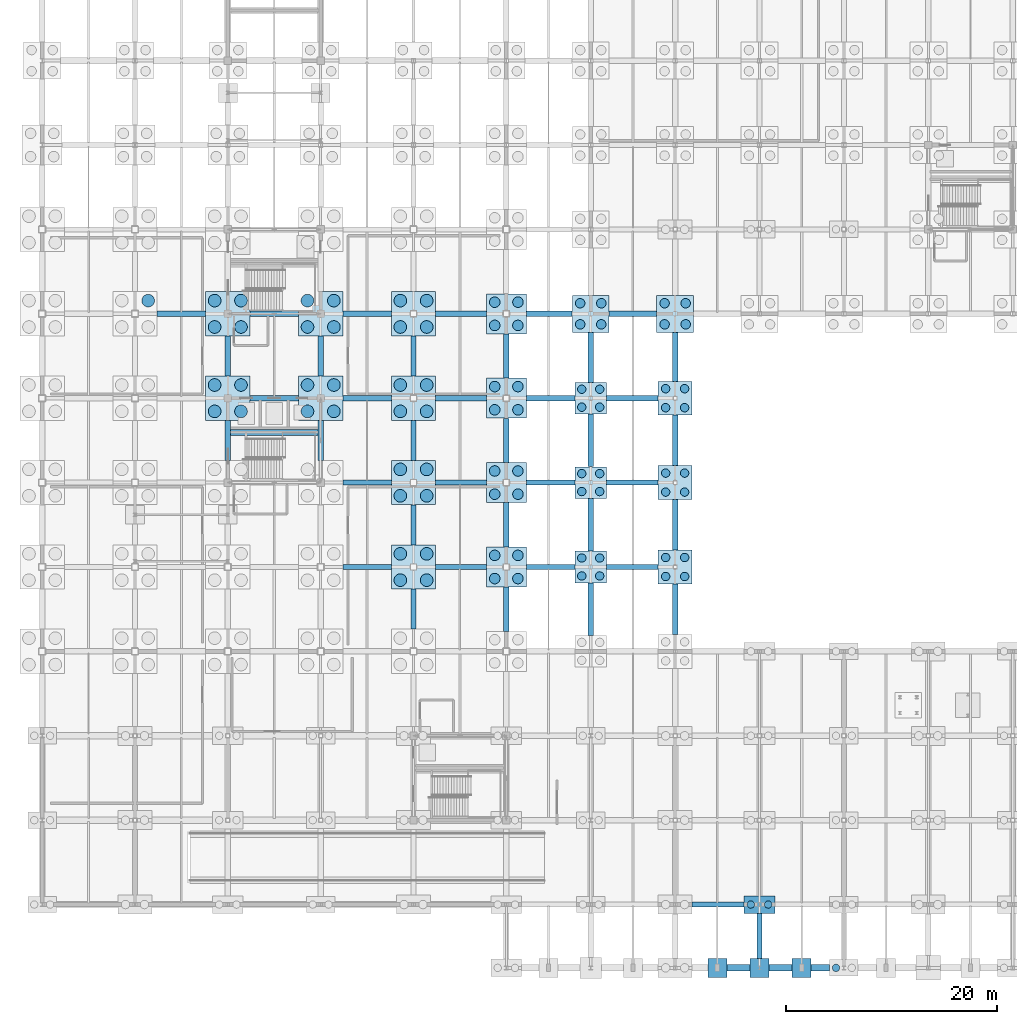
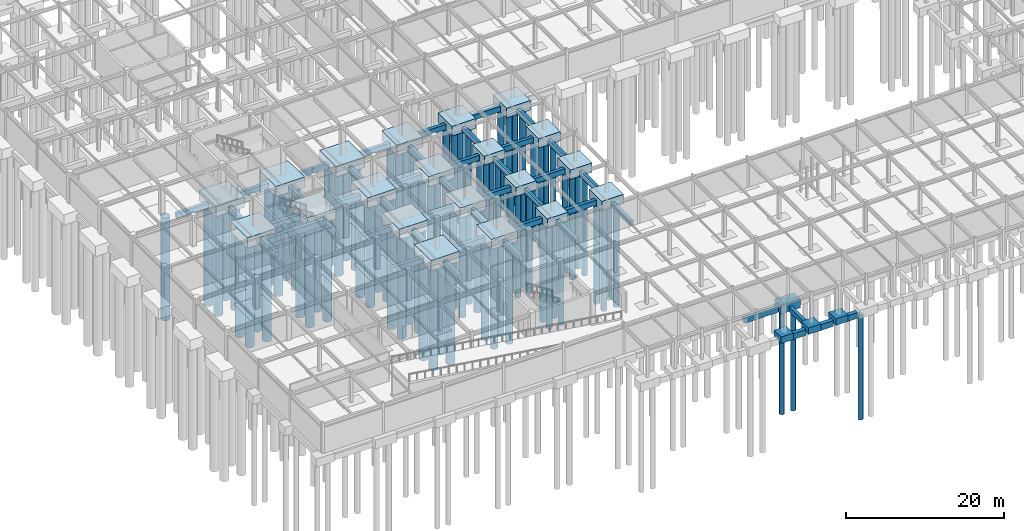
# One storey, part 3 of 72: 84 piles, 69 footings.
"""IFC4 building model written with IfcOpenShell, lengths in metres."""

from ifc_helpers import new_model, si_unit, direction, frame, origin, origin_2d, place, context, subcontext, project, spatial, rectangle, circle, extrude, material, material_profile, profile_set, type_object, element, save


model = new_model("IFC4")

# Units and contexts
model_context = context("Model", 3, precision=1e-05, world=origin(), true_north=direction((0.0, 1.0)))
body_context = subcontext(model_context, "Body", "Model", "MODEL_VIEW")
ifc_project = project(units=[si_unit("LENGTHUNIT", "METRE"), si_unit("AREAUNIT", "SQUARE_METRE"), si_unit("VOLUMEUNIT", "CUBIC_METRE"), si_unit("PLANEANGLEUNIT", "RADIAN"), si_unit("MASSUNIT", "GRAM", prefix="KILO")], contexts=[model_context])

# Site, building, storey
site_placement = place(None, origin())
site = spatial("IfcSite", under=ifc_project, at=site_placement, CompositionType="ELEMENT")
building_placement = place(site_placement, origin())
building = spatial("IfcBuilding", under=site, at=building_placement, Name="Zhaolan Boulevard Law Courts", CompositionType="ELEMENT")
storey_placement = place(building_placement, frame((0.0, 0.0, -4.800048828125)))
storey = spatial("IfcBuildingStorey", under=building, at=storey_placement, Name="B1", CompositionType="ELEMENT", Elevation=-4.800048828125)

# Piles
ifc_material_1 = material(Name="Concrete C40", Category="concrete")
ifc_material_profile_1 = material_profile(ifc_material_1, circle(Radius=0.5, at=origin_2d()), Name="PILE-D1000")
ifc_profile_set_1 = profile_set([ifc_material_profile_1], Name="Concrete C40")
pile_type_1 = type_object("IfcPileType", Name="BORED PILE D1000", PredefinedType="BORED", material=ifc_profile_set_1)
for number, where, z_axis, x_axis, name in (
    (1, (42.89990234375, 36.89990234375, -1.449951171875), (0.0, 0.0, -1.0), (1.0, 0.0, 0.0), "Bored Pile P-6F-1"),
    (2, (45.10009765625, 36.89990234375, -1.449951171875), (0.0, 0.0, -1.0), (1.0, 0.0, 0.0), "Bored Pile P-6F-2"),
    (3, (42.89990234375, 39.10009765625, -1.449951171875), (0.0, 0.0, -1.0), (1.0, 0.0, 0.0), "Bored Pile P-6F-3"),
    (4, (45.10009765625, 39.10009765625, -1.449951171875), (0.0, 0.0, -1.0), (1.0, 0.0, 0.0), "Bored Pile P-6F-4"),
    (5, (42.89990234375, 44.89990234375, -1.449951171875), (0.0, 0.0, -1.0), (1.0, 0.0, 0.0), "Bored Pile P-6G-1"),
    (6, (45.10009765625, 44.89990234375, -1.449951171875), (0.0, 0.0, -1.0), (1.0, 0.0, 0.0), "Bored Pile P-6G-2"),
    (7, (42.89990234375, 47.10009765625, -1.449951171875), (0.0, 0.0, -1.0), (1.0, 0.0, 0.0), "Bored Pile P-6G-3"),
    (8, (45.10009765625, 47.10009765625, -1.449951171875), (0.0, 0.0, -1.0), (1.0, 0.0, 0.0), "Bored Pile P-6G-4"),
    (9, (42.89990234375, 52.89990234375, -1.449951171875), (0.0, 0.0, -1.0), (1.0, 0.0, 0.0), "Bored Pile P-6H-1"),
    (10, (45.10009765625, 52.89990234375, -1.449951171875), (0.0, 0.0, -1.0), (1.0, 0.0, 0.0), "Bored Pile P-6H-2"),
    (11, (42.89990234375, 55.10009765625, -1.449951171875), (0.0, 0.0, -1.0), (1.0, 0.0, 0.0), "Bored Pile P-6H-3"),
    (12, (45.10009765625, 55.10009765625, -1.449951171875), (0.0, 0.0, -1.0), (1.0, 0.0, 0.0), "Bored Pile P-6H-4"),
    (13, (42.89990234375, 60.89990234375, -1.449951171875), (0.0, 0.0, -1.0), (1.0, 0.0, 0.0), "Bored Pile P-6J-1"),
    (14, (45.10009765625, 60.89990234375, -1.449951171875), (0.0, 0.0, -1.0), (1.0, 0.0, 0.0), "Bored Pile P-6J-2"),
    (15, (42.89990234375, 63.10009765625, -1.449951171875), (0.0, 0.0, -1.0), (1.0, 0.0, 0.0), "Bored Pile P-6J-3"),
    (16, (45.10009765625, 63.10009765625, -1.449951171875), (0.0, 0.0, -1.0), (1.0, 0.0, 0.0), "Bored Pile P-6J-4"),
):
    element("IfcPile", number, at=place(storey_placement, frame(where, z_axis=z_axis, x_axis=x_axis)), inside=storey, type_object=pile_type_1, Name=name, PredefinedType="BORED", context=body_context, shape_type="SweptSolid", body=[
        extrude(circle(Radius=0.5, at=origin_2d()), origin(), (0.0, 0.0, 1.0), 15.949951171875),
    ])
ifc_material_2 = material(Name="Concrete C40", Category="concrete")
ifc_material_profile_2 = material_profile(ifc_material_2, circle(Radius=0.60009765625, at=origin_2d()), Name="PILE-D1200")
ifc_profile_set_2 = profile_set([ifc_material_profile_2], Name="Concrete C40")
pile_type_2 = type_object("IfcPileType", Name="BORED PILE D1200", PredefinedType="BORED", material=ifc_profile_set_2)
for number, where, z_axis, x_axis, name in (
    (17, (10.050048828125, 63.25, -1.5), (0.0, 0.0, -1.0), (1.0, 0.0, 0.0), "Bored Pile P-2J-4"),
    (18, (16.35009765625, 52.75, -1.5), (0.0, 0.0, -1.0), (1.0, 0.0, 0.0), "Bored Pile P-3H-1"),
    (19, (18.85009765625, 52.75, -1.5), (0.0, 0.0, -1.0), (1.0, 0.0, 0.0), "Bored Pile P-3H-2"),
    (20, (16.35009765625, 55.25, -1.5), (0.0, 0.0, -1.0), (1.0, 0.0, 0.0), "Bored Pile P-3H-3"),
    (21, (18.85009765625, 55.25, -1.5), (0.0, 0.0, -1.0), (1.0, 0.0, 0.0), "Bored Pile P-3H-4"),
    (22, (16.35009765625, 60.75, -1.5), (0.0, 0.0, -1.0), (1.0, 0.0, 0.0), "Bored Pile P-3J-1"),
    (23, (18.85009765625, 60.75, -1.5), (0.0, 0.0, -1.0), (1.0, 0.0, 0.0), "Bored Pile P-3J-2"),
    (24, (16.35009765625, 63.25, -1.5), (0.0, 0.0, -1.0), (1.0, 0.0, 0.0), "Bored Pile P-3J-3"),
    (25, (18.85009765625, 63.25, -1.5), (0.0, 0.0, -1.0), (1.0, 0.0, 0.0), "Bored Pile P-3J-4"),
    (26, (25.14990234375, 52.75, -1.5), (0.0, 0.0, -1.0), (1.0, 0.0, 0.0), "Bored Pile P-4H-1"),
    (27, (27.64990234375, 52.75, -1.5), (0.0, 0.0, -1.0), (1.0, 0.0, 0.0), "Bored Pile P-4H-2"),
    (28, (25.14990234375, 55.25, -1.5), (0.0, 0.0, -1.0), (1.0, 0.0, 0.0), "Bored Pile P-4H-3"),
    (29, (27.64990234375, 55.25, -1.5), (0.0, 0.0, -1.0), (1.0, 0.0, 0.0), "Bored Pile P-4H-4"),
    (30, (25.14990234375, 60.75, -1.5), (0.0, 0.0, -1.0), (1.0, 0.0, 0.0), "Bored Pile P-4J-1"),
    (31, (27.64990234375, 60.75, -1.5), (0.0, 0.0, -1.0), (1.0, 0.0, 0.0), "Bored Pile P-4J-2"),
    (32, (25.14990234375, 63.25, -1.5), (0.0, 0.0, -1.0), (1.0, 0.0, 0.0), "Bored Pile P-4J-3"),
    (33, (27.64990234375, 63.25, -1.5), (0.0, 0.0, -1.0), (1.0, 0.0, 0.0), "Bored Pile P-4J-4"),
    (34, (33.949951171875, 36.75, -1.5), (0.0, 0.0, -1.0), (1.0, 0.0, 0.0), "Bored Pile P-5F-1"),
    (35, (36.449951171875, 36.75, -1.5), (0.0, 0.0, -1.0), (1.0, 0.0, 0.0), "Bored Pile P-5F-2"),
    (36, (33.949951171875, 39.25, -1.5), (0.0, 0.0, -1.0), (1.0, 0.0, 0.0), "Bored Pile P-5F-3"),
    (37, (36.449951171875, 39.25, -1.5), (0.0, 0.0, -1.0), (1.0, 0.0, 0.0), "Bored Pile P-5F-4"),
    (38, (33.949951171875, 44.75, -1.5), (0.0, 0.0, -1.0), (1.0, 0.0, 0.0), "Bored Pile P-5G-1"),
    (39, (36.449951171875, 44.75, -1.5), (0.0, 0.0, -1.0), (1.0, 0.0, 0.0), "Bored Pile P-5G-2"),
    (40, (33.949951171875, 47.25, -1.5), (0.0, 0.0, -1.0), (1.0, 0.0, 0.0), "Bored Pile P-5G-3"),
    (41, (36.449951171875, 47.25, -1.5), (0.0, 0.0, -1.0), (1.0, 0.0, 0.0), "Bored Pile P-5G-4"),
    (42, (33.949951171875, 52.75, -1.5), (0.0, 0.0, -1.0), (1.0, 0.0, 0.0), "Bored Pile P-5H-1"),
    (43, (36.449951171875, 52.75, -1.5), (0.0, 0.0, -1.0), (1.0, 0.0, 0.0), "Bored Pile P-5H-2"),
    (44, (33.949951171875, 55.25, -1.5), (0.0, 0.0, -1.0), (1.0, 0.0, 0.0), "Bored Pile P-5H-3"),
    (45, (36.449951171875, 55.25, -1.5), (0.0, 0.0, -1.0), (1.0, 0.0, 0.0), "Bored Pile P-5H-4"),
    (46, (33.949951171875, 60.75, -1.5), (0.0, 0.0, -1.0), (1.0, 0.0, 0.0), "Bored Pile P-5J-1"),
    (47, (36.449951171875, 60.75, -1.5), (0.0, 0.0, -1.0), (1.0, 0.0, 0.0), "Bored Pile P-5J-2"),
    (48, (33.949951171875, 63.25, -1.5), (0.0, 0.0, -1.0), (1.0, 0.0, 0.0), "Bored Pile P-5J-3"),
    (49, (36.449951171875, 63.25, -1.5), (0.0, 0.0, -1.0), (1.0, 0.0, 0.0), "Bored Pile P-5J-4"),
):
    element("IfcPile", number, at=place(storey_placement, frame(where, z_axis=z_axis, x_axis=x_axis)), inside=storey, type_object=pile_type_2, Name=name, PredefinedType="BORED", context=body_context, shape_type="SweptSolid", body=[
        extrude(circle(Radius=0.60009765625, at=origin_2d()), origin(), (0.0, 0.0, 1.0), 15.89990234375),
    ])
ifc_material_3 = material(Name="Concrete C40", Category="concrete")
ifc_material_profile_3 = material_profile(ifc_material_3, circle(Radius=0.35009765625, at=origin_2d()), Name="PILE-D700")
ifc_profile_set_3 = profile_set([ifc_material_profile_3], Name="Concrete C40")
pile_type_3 = type_object("IfcPileType", Name="BORED PILE D700", PredefinedType="BORED", material=ifc_profile_set_3)
for number, where, z_axis, x_axis, name in (
    (50, (67.179931640625, 6.0, -1.25), (0.0, 0.0, -1.0), (1.0, 0.0, 0.0), "Bored Pile P-9B-1"),
    (51, (68.820068359375, 6.0, -1.25), (0.0, 0.0, -1.0), (1.0, 0.0, 0.0), "Bored Pile P-9B-2"),
):
    element("IfcPile", number, at=place(storey_placement, frame(where, z_axis=z_axis, x_axis=x_axis)), inside=storey, type_object=pile_type_3, Name=name, PredefinedType="BORED", context=body_context, shape_type="SweptSolid", body=[
        extrude(circle(Radius=0.35009765625, at=origin_2d()), origin(), (0.0, 0.0, 1.0), 16.14990234375),
    ])
pile_placement = place(storey_placement, frame((75.25, 0.0, -1.199951171875), z_axis=(0.0, 0.0, -1.0), x_axis=(1.0, 0.0, 0.0)))
element("IfcPile", 52, at=pile_placement, inside=storey, type_object=pile_type_3, Name="Bored Pile P-10A-1", PredefinedType="BORED", context=body_context, shape_type="SweptSolid", body=[
    extrude(circle(Radius=0.35009765625, at=origin_2d()), origin(), (0.0, 0.0, 1.0), 16.199951171875),
])
ifc_material_4 = material(Name="Concrete C40", Category="concrete")
ifc_material_profile_4 = material_profile(ifc_material_4, circle(Radius=0.39990234375, at=origin_2d()), Name="PILE-D800")
ifc_profile_set_4 = profile_set([ifc_material_profile_4], Name="Concrete C40")
pile_type_4 = type_object("IfcPileType", Name="BORED PILE D800", PredefinedType="BORED", material=ifc_profile_set_4)
for number, where, z_axis, x_axis, name in (
    (53, (51.14990234375, 37.14990234375, -1.300048828125), (0.0, 0.0, -1.0), (1.0, 0.0, 0.0), "Bored Pile P-7F-1"),
    (54, (52.85009765625, 37.14990234375, -1.300048828125), (0.0, 0.0, -1.0), (1.0, 0.0, 0.0), "Bored Pile P-7F-2"),
    (55, (51.14990234375, 38.85009765625, -1.300048828125), (0.0, 0.0, -1.0), (1.0, 0.0, 0.0), "Bored Pile P-7F-3"),
    (56, (52.85009765625, 38.85009765625, -1.300048828125), (0.0, 0.0, -1.0), (1.0, 0.0, 0.0), "Bored Pile P-7F-4"),
    (57, (51.14990234375, 45.14990234375, -1.300048828125), (0.0, 0.0, -1.0), (1.0, 0.0, 0.0), "Bored Pile P-7G-1"),
    (58, (52.85009765625, 45.14990234375, -1.300048828125), (0.0, 0.0, -1.0), (1.0, 0.0, 0.0), "Bored Pile P-7G-2"),
    (59, (51.14990234375, 46.85009765625, -1.300048828125), (0.0, 0.0, -1.0), (1.0, 0.0, 0.0), "Bored Pile P-7G-3"),
    (60, (52.85009765625, 46.85009765625, -1.300048828125), (0.0, 0.0, -1.0), (1.0, 0.0, 0.0), "Bored Pile P-7G-4"),
    (61, (51.14990234375, 53.14990234375, -1.300048828125), (0.0, 0.0, -1.0), (1.0, 0.0, 0.0), "Bored Pile P-7H-1"),
    (62, (52.85009765625, 53.14990234375, -1.300048828125), (0.0, 0.0, -1.0), (1.0, 0.0, 0.0), "Bored Pile P-7H-2"),
    (63, (51.14990234375, 54.85009765625, -1.300048828125), (0.0, 0.0, -1.0), (1.0, 0.0, 0.0), "Bored Pile P-7H-3"),
    (64, (52.85009765625, 54.85009765625, -1.300048828125), (0.0, 0.0, -1.0), (1.0, 0.0, 0.0), "Bored Pile P-7H-4"),
):
    element("IfcPile", number, at=place(storey_placement, frame(where, z_axis=z_axis, x_axis=x_axis)), inside=storey, type_object=pile_type_4, Name=name, PredefinedType="BORED", context=body_context, shape_type="SweptSolid", body=[
        extrude(circle(Radius=0.39990234375, at=origin_2d()), origin(), (0.0, 0.0, 1.0), 16.10009765625),
    ])
for number, where, z_axis, x_axis, name in (
    (65, (59.10009765625, 37.10009765625, -1.349853515625), (0.0, 0.0, -1.0), (1.0, 0.0, 0.0), "Bored Pile P-8F-1"),
    (66, (60.89990234375, 37.10009765625, -1.349853515625), (0.0, 0.0, -1.0), (1.0, 0.0, 0.0), "Bored Pile P-8F-2"),
    (67, (59.10009765625, 38.89990234375, -1.349853515625), (0.0, 0.0, -1.0), (1.0, 0.0, 0.0), "Bored Pile P-8F-3"),
    (68, (60.89990234375, 38.89990234375, -1.349853515625), (0.0, 0.0, -1.0), (1.0, 0.0, 0.0), "Bored Pile P-8F-4"),
    (69, (59.10009765625, 45.10009765625, -1.349853515625), (0.0, 0.0, -1.0), (1.0, 0.0, 0.0), "Bored Pile P-8G-1"),
    (70, (60.89990234375, 45.10009765625, -1.349853515625), (0.0, 0.0, -1.0), (1.0, 0.0, 0.0), "Bored Pile P-8G-2"),
    (71, (59.10009765625, 46.89990234375, -1.349853515625), (0.0, 0.0, -1.0), (1.0, 0.0, 0.0), "Bored Pile P-8G-3"),
    (72, (60.89990234375, 46.89990234375, -1.349853515625), (0.0, 0.0, -1.0), (1.0, 0.0, 0.0), "Bored Pile P-8G-4"),
    (73, (59.10009765625, 53.10009765625, -1.349853515625), (0.0, 0.0, -1.0), (1.0, 0.0, 0.0), "Bored Pile P-8H-1"),
    (74, (60.89990234375, 53.10009765625, -1.349853515625), (0.0, 0.0, -1.0), (1.0, 0.0, 0.0), "Bored Pile P-8H-2"),
    (75, (59.10009765625, 54.89990234375, -1.349853515625), (0.0, 0.0, -1.0), (1.0, 0.0, 0.0), "Bored Pile P-8H-3"),
    (76, (60.89990234375, 54.89990234375, -1.349853515625), (0.0, 0.0, -1.0), (1.0, 0.0, 0.0), "Bored Pile P-8H-4"),
):
    element("IfcPile", number, at=place(storey_placement, frame(where, z_axis=z_axis, x_axis=x_axis)), inside=storey, type_object=pile_type_4, Name=name, PredefinedType="BORED", context=body_context, shape_type="SweptSolid", body=[
        extrude(circle(Radius=0.39990234375, at=origin_2d()), origin(), (0.0, 0.0, 1.0), 16.050048828125),
    ])
ifc_material_5 = material(Name="Concrete C40", Category="concrete")
ifc_material_profile_5 = material_profile(ifc_material_5, circle(Radius=0.449951171875, at=origin_2d()), Name="PILE-D900")
ifc_profile_set_5 = profile_set([ifc_material_profile_5], Name="Concrete C40")
pile_type_5 = type_object("IfcPileType", Name="BORED PILE D900", PredefinedType="BORED", material=ifc_profile_set_5)
for number, where, z_axis, x_axis, name in (
    (77, (51.0, 61.0, -1.39990234375), (0.0, 0.0, -1.0), (1.0, 0.0, 0.0), "Bored Pile P-7J-1"),
    (78, (53.0, 61.0, -1.39990234375), (0.0, 0.0, -1.0), (1.0, 0.0, 0.0), "Bored Pile P-7J-2"),
    (79, (51.0, 63.0, -1.39990234375), (0.0, 0.0, -1.0), (1.0, 0.0, 0.0), "Bored Pile P-7J-3"),
    (80, (53.0, 63.0, -1.39990234375), (0.0, 0.0, -1.0), (1.0, 0.0, 0.0), "Bored Pile P-7J-4"),
    (81, (59.0, 61.0, -1.39990234375), (0.0, 0.0, -1.0), (1.0, 0.0, 0.0), "Bored Pile P-8J-1"),
    (82, (61.0, 61.0, -1.39990234375), (0.0, 0.0, -1.0), (1.0, 0.0, 0.0), "Bored Pile P-8J-2"),
    (83, (59.0, 63.0, -1.39990234375), (0.0, 0.0, -1.0), (1.0, 0.0, 0.0), "Bored Pile P-8J-3"),
    (84, (61.0, 63.0, -1.39990234375), (0.0, 0.0, -1.0), (1.0, 0.0, 0.0), "Bored Pile P-8J-4"),
):
    element("IfcPile", number, at=place(storey_placement, frame(where, z_axis=z_axis, x_axis=x_axis)), inside=storey, type_object=pile_type_5, Name=name, PredefinedType="BORED", context=body_context, shape_type="SweptSolid", body=[
        extrude(circle(Radius=0.449951171875, at=origin_2d()), origin(), (0.0, 0.0, 1.0), 16.0),
    ])

# Footings
ifc_material_6 = material(Name="Concrete C40", Category="concrete")
footing_type_1 = type_object("IfcFootingType", Name="PAD FOOTING 1800X1800X1000", PredefinedType="PAD_FOOTING", material=ifc_material_6)
for number, where, z_axis, x_axis, name in (
    (85, (68.0, 0.0, -1.0), (0.0, 0.0, 1.0), (1.0, 0.0, 0.0), "Pad Footing PF-9A"),
    (86, (64.0, 0.0, -1.0), (0.0, 0.0, 1.0), (1.0, 0.0, 0.0), "Pilaster Pad Footing PFP-03"),
    (87, (72.0, 0.0, -1.0), (0.0, 0.0, 1.0), (1.0, 0.0, 0.0), "Pilaster Pad Footing PFP-04"),
):
    element("IfcFooting", number, at=place(storey_placement, frame(where, z_axis=z_axis, x_axis=x_axis)), inside=storey, type_object=footing_type_1, Name=name, PredefinedType="PAD_FOOTING", context=body_context, shape_type="SweptSolid", body=[
        extrude(rectangle(XDim=1.800048828125, YDim=1.800048828125, at=origin_2d()), origin(), (0.0, 0.0, 1.0), 1.0),
    ])
ifc_material_7 = material(Name="Concrete C40", Category="concrete")
footing_type_2 = type_object("IfcFootingType", Name="PILE CAP 2900X1650X1350", PredefinedType="PILE_CAP", material=ifc_material_7)
footing_1_placement = place(storey_placement, frame((68.0, 6.0, -1.35009765625), z_axis=(0.0, 0.0, 1.0), x_axis=(1.0, 0.0, 0.0)))
element("IfcFooting", 88, at=footing_1_placement, inside=storey, type_object=footing_type_2, Name="Pile Cap PC-9B", PredefinedType="PILE_CAP", context=body_context, shape_type="SweptSolid", body=[
    extrude(rectangle(XDim=2.89990234375, YDim=1.64990234375, at=origin_2d()), origin(), (0.0, 0.0, 1.0), 1.35009765625),
])
ifc_material_8 = material(Name="Concrete C40", Category="concrete")
footing_type_3 = type_object("IfcFootingType", Name="PILE CAP 3000X3000X1400", PredefinedType="PILE_CAP", material=ifc_material_8)
for number, where, z_axis, x_axis, name in (
    (89, (52.0, 38.0, -1.39990234375), (0.0, 0.0, 1.0), (1.0, 0.0, 0.0), "Pile Cap PC-7F"),
    (90, (52.0, 46.0, -1.39990234375), (0.0, 0.0, 1.0), (1.0, 0.0, 0.0), "Pile Cap PC-7G"),
    (91, (52.0, 54.0, -1.39990234375), (0.0, 0.0, 1.0), (1.0, 0.0, 0.0), "Pile Cap PC-7H"),
):
    element("IfcFooting", number, at=place(storey_placement, frame(where, z_axis=z_axis, x_axis=x_axis)), inside=storey, type_object=footing_type_3, Name=name, PredefinedType="PILE_CAP", context=body_context, shape_type="SweptSolid", body=[
        extrude(rectangle(XDim=3.0, YDim=3.0, at=origin_2d()), origin(), (0.0, 0.0, 1.0), 1.39990234375),
    ])
ifc_material_9 = material(Name="Concrete C40", Category="concrete")
footing_type_4 = type_object("IfcFootingType", Name="PILE CAP 3200X3200X1450", PredefinedType="PILE_CAP", material=ifc_material_9)
for number, where, z_axis, x_axis, name in (
    (92, (60.0, 38.0, -1.44970703125), (0.0, 0.0, 1.0), (1.0, 0.0, 0.0), "Pile Cap PC-8F"),
    (93, (60.0, 46.0, -1.44970703125), (0.0, 0.0, 1.0), (1.0, 0.0, 0.0), "Pile Cap PC-8G"),
    (94, (60.0, 54.0, -1.44970703125), (0.0, 0.0, 1.0), (1.0, 0.0, 0.0), "Pile Cap PC-8H"),
):
    element("IfcFooting", number, at=place(storey_placement, frame(where, z_axis=z_axis, x_axis=x_axis)), inside=storey, type_object=footing_type_4, Name=name, PredefinedType="PILE_CAP", context=body_context, shape_type="SweptSolid", body=[
        extrude(rectangle(XDim=3.199951171875, YDim=3.199951171875, at=origin_2d()), origin(), (0.0, 0.0, 1.0), 1.449951171875),
    ])
ifc_material_10 = material(Name="Concrete C40", Category="concrete")
footing_type_5 = type_object("IfcFootingType", Name="PILE CAP 3500X3500X1500", PredefinedType="PILE_CAP", material=ifc_material_10)
for number, where, z_axis, x_axis, name in (
    (95, (52.0, 62.0, -1.5), (0.0, 0.0, 1.0), (1.0, 0.0, 0.0), "Pile Cap PC-7J"),
    (96, (60.0, 62.0, -1.5), (0.0, 0.0, 1.0), (1.0, 0.0, 0.0), "Pile Cap PC-8J"),
):
    element("IfcFooting", number, at=place(storey_placement, frame(where, z_axis=z_axis, x_axis=x_axis)), inside=storey, type_object=footing_type_5, Name=name, PredefinedType="PILE_CAP", context=body_context, shape_type="SweptSolid", body=[
        extrude(rectangle(XDim=3.5, YDim=3.5, at=origin_2d()), origin(), (0.0, 0.0, 1.0), 1.5),
    ])
ifc_material_11 = material(Name="Concrete C40", Category="concrete")
footing_type_6 = type_object("IfcFootingType", Name="PILE CAP 3800X3800X1550", PredefinedType="PILE_CAP", material=ifc_material_11)
for number, where, z_axis, x_axis, name in (
    (97, (44.0, 38.0, -1.5498046875), (0.0, 0.0, 1.0), (1.0, 0.0, 0.0), "Pile Cap PC-6F"),
    (98, (44.0, 46.0, -1.5498046875), (0.0, 0.0, 1.0), (1.0, 0.0, 0.0), "Pile Cap PC-6G"),
    (99, (44.0, 54.0, -1.5498046875), (0.0, 0.0, 1.0), (1.0, 0.0, 0.0), "Pile Cap PC-6H"),
    (100, (44.0, 62.0, -1.5498046875), (0.0, 0.0, 1.0), (1.0, 0.0, 0.0), "Pile Cap PC-6J"),
):
    element("IfcFooting", number, at=place(storey_placement, frame(where, z_axis=z_axis, x_axis=x_axis)), inside=storey, type_object=footing_type_6, Name=name, PredefinedType="PILE_CAP", context=body_context, shape_type="SweptSolid", body=[
        extrude(rectangle(XDim=3.800048828125, YDim=3.800048828125, at=origin_2d()), origin(), (0.0, 0.0, 1.0), 1.550048828125),
    ])
ifc_material_12 = material(Name="Concrete C40", Category="concrete")
footing_type_7 = type_object("IfcFootingType", Name="PILE CAP 4200X4200X1600", PredefinedType="PILE_CAP", material=ifc_material_12)
for number, where, z_axis, x_axis, name in (
    (101, (17.60009765625, 54.0, -1.60009765625), (0.0, 0.0, 1.0), (1.0, 0.0, 0.0), "Pile Cap PC-3H"),
    (102, (17.60009765625, 62.0, -1.60009765625), (0.0, 0.0, 1.0), (1.0, 0.0, 0.0), "Pile Cap PC-3J"),
    (103, (26.39990234375, 54.0, -1.60009765625), (0.0, 0.0, 1.0), (1.0, 0.0, 0.0), "Pile Cap PC-4H"),
    (104, (26.39990234375, 62.0, -1.60009765625), (0.0, 0.0, 1.0), (1.0, 0.0, 0.0), "Pile Cap PC-4J"),
    (105, (35.199951171875, 38.0, -1.60009765625), (0.0, 0.0, 1.0), (1.0, 0.0, 0.0), "Pile Cap PC-5F"),
    (106, (35.199951171875, 46.0, -1.60009765625), (0.0, 0.0, 1.0), (1.0, 0.0, 0.0), "Pile Cap PC-5G"),
    (107, (35.199951171875, 54.0, -1.60009765625), (0.0, 0.0, 1.0), (1.0, 0.0, 0.0), "Pile Cap PC-5H"),
    (108, (35.199951171875, 62.0, -1.60009765625), (0.0, 0.0, 1.0), (1.0, 0.0, 0.0), "Pile Cap PC-5J"),
):
    element("IfcFooting", number, at=place(storey_placement, frame(where, z_axis=z_axis, x_axis=x_axis)), inside=storey, type_object=footing_type_7, Name=name, PredefinedType="PILE_CAP", context=body_context, shape_type="SweptSolid", body=[
        extrude(rectangle(XDim=4.199951171875, YDim=4.199951171875, at=origin_2d()), origin(), (0.0, 0.0, 1.0), 1.60009765625),
    ])
ifc_material_13 = material(Name="Concrete C40", Category="concrete")
ifc_material_profile_6 = material_profile(ifc_material_13, rectangle(XDim=0.60009765625, YDim=0.89990234375, at=origin_2d()), Name="RC600x900")
ifc_profile_set_6 = profile_set([ifc_material_profile_6], Name="Concrete C40")
footing_type_8 = type_object("IfcFootingType", Name="STRIP FOOTING 600X900", PredefinedType="STRIP_FOOTING", material=ifc_profile_set_6)
footing_2_placement = place(storey_placement, frame((17.85205078125, 50.75, -0.449951171875), z_axis=(1.0, 0.0, 0.0), x_axis=(0.0, 1.0, 0.0)))
element("IfcFooting", 109, at=footing_2_placement, inside=storey, type_object=footing_type_8, Name="Stair Divider Strip Footing SF-ST01-DN", PredefinedType="STRIP_FOOTING", context=body_context, shape_type="SweptSolid", body=[
    extrude(rectangle(XDim=0.60009765625, YDim=0.89990234375, at=origin_2d()), origin(), (0.0, 0.0, 1.0), 8.2958984375),
])
ifc_material_14 = material(Name="Concrete C40", Category="concrete")
ifc_material_profile_7 = material_profile(ifc_material_14, rectangle(XDim=0.5, YDim=0.800048828125, at=origin_2d()), Name="RC500x800")
ifc_profile_set_7 = profile_set([ifc_material_profile_7], Name="Concrete C40")
footing_type_9 = type_object("IfcFootingType", Name="TIE BEAM 500X800", PredefinedType="FOOTING_BEAM", material=ifc_profile_set_7)
footing_3_placement = place(storey_placement, frame((10.902099609375, 62.0, -1.0), z_axis=(1.0, 0.0, 0.0), x_axis=(0.0, 1.0, 0.0)))
element("IfcFooting", 110, at=footing_3_placement, inside=storey, type_object=footing_type_9, Name="Foundation Tie Beam TBX-2-3-J", PredefinedType="FOOTING_BEAM", context=body_context, shape_type="SweptSolid", body=[
    extrude(rectangle(XDim=0.5, YDim=0.800048828125, at=origin_2d()), origin(), (0.0, 0.0, 1.0), 4.595947265625),
])
for number, where, z_axis, x_axis, name in (
    (111, (19.701904296875, 54.0, -1.0), (1.0, 0.0, 0.0), (0.0, 1.0, 0.0), "Foundation Tie Beam TBX-3-4-H"),
    (112, (19.701904296875, 62.0, -1.0), (1.0, 0.0, 0.0), (0.0, 1.0, 0.0), "Foundation Tie Beam TBX-3-4-J"),
):
    element("IfcFooting", number, at=place(storey_placement, frame(where, z_axis=z_axis, x_axis=x_axis)), inside=storey, type_object=footing_type_9, Name=name, PredefinedType="FOOTING_BEAM", context=body_context, shape_type="SweptSolid", body=[
        extrude(rectangle(XDim=0.5, YDim=0.800048828125, at=origin_2d()), origin(), (0.0, 0.0, 1.0), 4.59619140625),
    ])
for number, where, z_axis, x_axis, name in (
    (113, (28.501953125, 38.0, -1.0), (1.0, 0.0, 0.0), (0.0, 1.0, 0.0), "Foundation Tie Beam TBX-4-5-F"),
    (114, (28.501953125, 46.0, -1.0), (1.0, 0.0, 0.0), (0.0, 1.0, 0.0), "Foundation Tie Beam TBX-4-5-G"),
    (115, (28.501953125, 54.0, -1.0), (1.0, 0.0, 0.0), (0.0, 1.0, 0.0), "Foundation Tie Beam TBX-4-5-H"),
    (116, (28.501953125, 62.0, -1.0), (1.0, 0.0, 0.0), (0.0, 1.0, 0.0), "Foundation Tie Beam TBX-4-5-J"),
):
    element("IfcFooting", number, at=place(storey_placement, frame(where, z_axis=z_axis, x_axis=x_axis)), inside=storey, type_object=footing_type_9, Name=name, PredefinedType="FOOTING_BEAM", context=body_context, shape_type="SweptSolid", body=[
        extrude(rectangle(XDim=0.5, YDim=0.800048828125, at=origin_2d()), origin(), (0.0, 0.0, 1.0), 4.595947265625),
    ])
for number, where, z_axis, x_axis, name in (
    (117, (37.302001953125, 38.0, -1.0), (1.0, 0.0, 0.0), (0.0, 1.0, 0.0), "Foundation Tie Beam TBX-5-6-F"),
    (118, (37.302001953125, 46.0, -1.0), (1.0, 0.0, 0.0), (0.0, 1.0, 0.0), "Foundation Tie Beam TBX-5-6-G"),
    (119, (37.302001953125, 54.0, -1.0), (1.0, 0.0, 0.0), (0.0, 1.0, 0.0), "Foundation Tie Beam TBX-5-6-H"),
    (120, (37.302001953125, 62.0, -1.0), (1.0, 0.0, 0.0), (0.0, 1.0, 0.0), "Foundation Tie Beam TBX-5-6-J"),
):
    element("IfcFooting", number, at=place(storey_placement, frame(where, z_axis=z_axis, x_axis=x_axis)), inside=storey, type_object=footing_type_9, Name=name, PredefinedType="FOOTING_BEAM", context=body_context, shape_type="SweptSolid", body=[
        extrude(rectangle(XDim=0.5, YDim=0.800048828125, at=origin_2d()), origin(), (0.0, 0.0, 1.0), 4.7958984375),
    ])
for number, where, z_axis, x_axis, name in (
    (121, (45.902099609375, 38.0, -1.0), (1.0, 0.0, 0.0), (0.0, 1.0, 0.0), "Foundation Tie Beam TBX-6-7-F"),
    (122, (45.902099609375, 46.0, -1.0), (1.0, 0.0, 0.0), (0.0, 1.0, 0.0), "Foundation Tie Beam TBX-6-7-G"),
    (123, (45.902099609375, 54.0, -1.0), (1.0, 0.0, 0.0), (0.0, 1.0, 0.0), "Foundation Tie Beam TBX-6-7-H"),
):
    element("IfcFooting", number, at=place(storey_placement, frame(where, z_axis=z_axis, x_axis=x_axis)), inside=storey, type_object=footing_type_9, Name=name, PredefinedType="FOOTING_BEAM", context=body_context, shape_type="SweptSolid", body=[
        extrude(rectangle(XDim=0.5, YDim=0.800048828125, at=origin_2d()), origin(), (0.0, 0.0, 1.0), 4.595947265625),
    ])
footing_4_placement = place(storey_placement, frame((45.902099609375, 62.0, -1.0), z_axis=(1.0, 0.0, 0.0), x_axis=(0.0, 1.0, 0.0)))
element("IfcFooting", 124, at=footing_4_placement, inside=storey, type_object=footing_type_9, Name="Foundation Tie Beam TBX-6-7-J", PredefinedType="FOOTING_BEAM", context=body_context, shape_type="SweptSolid", body=[
    extrude(rectangle(XDim=0.5, YDim=0.800048828125, at=origin_2d()), origin(), (0.0, 0.0, 1.0), 4.345947265625),
])
for number, where, z_axis, x_axis, name in (
    (125, (53.501953125, 38.0, -1.0), (1.0, 0.0, 0.0), (0.0, 1.0, 0.0), "Foundation Tie Beam TBX-7-8-F"),
    (126, (53.501953125, 46.0, -1.0), (1.0, 0.0, 0.0), (0.0, 1.0, 0.0), "Foundation Tie Beam TBX-7-8-G"),
    (127, (53.501953125, 54.0, -1.0), (1.0, 0.0, 0.0), (0.0, 1.0, 0.0), "Foundation Tie Beam TBX-7-8-H"),
):
    element("IfcFooting", number, at=place(storey_placement, frame(where, z_axis=z_axis, x_axis=x_axis)), inside=storey, type_object=footing_type_9, Name=name, PredefinedType="FOOTING_BEAM", context=body_context, shape_type="SweptSolid", body=[
        extrude(rectangle(XDim=0.5, YDim=0.800048828125, at=origin_2d()), origin(), (0.0, 0.0, 1.0), 4.89599609375),
    ])
footing_5_placement = place(storey_placement, frame((53.751953125, 62.0, -1.0), z_axis=(1.0, 0.0, 0.0), x_axis=(0.0, 1.0, 0.0)))
element("IfcFooting", 128, at=footing_5_placement, inside=storey, type_object=footing_type_9, Name="Foundation Tie Beam TBX-7-8-J", PredefinedType="FOOTING_BEAM", context=body_context, shape_type="SweptSolid", body=[
    extrude(rectangle(XDim=0.5, YDim=0.800048828125, at=origin_2d()), origin(), (0.0, 0.0, 1.0), 4.49609375),
])
footing_6_placement = place(storey_placement, frame((61.60205078125, 6.0, -1.0), z_axis=(1.0, 0.0, 0.0), x_axis=(0.0, 1.0, 0.0)))
element("IfcFooting", 129, at=footing_6_placement, inside=storey, type_object=footing_type_9, Name="Foundation Tie Beam TBX-8-9-B", PredefinedType="FOOTING_BEAM", context=body_context, shape_type="SweptSolid", body=[
    extrude(rectangle(XDim=0.5, YDim=0.800048828125, at=origin_2d()), origin(), (0.0, 0.0, 1.0), 4.946044921875),
])
for number, where, z_axis, x_axis, name in (
    (130, (17.60009765625, 48.10205078125, -1.0), (0.0, 1.0, 0.0), (-1.0, 0.0, 0.0), "Foundation Tie Beam TBY-3-G-H"),
    (131, (17.60009765625, 56.10205078125, -1.0), (0.0, 1.0, 0.0), (-1.0, 0.0, 0.0), "Foundation Tie Beam TBY-3-H-J"),
    (132, (26.39990234375, 48.10205078125, -1.0), (0.0, 1.0, 0.0), (-1.0, 0.0, 0.0), "Foundation Tie Beam TBY-4-G-H"),
    (133, (26.39990234375, 56.10205078125, -1.0), (0.0, 1.0, 0.0), (-1.0, 0.0, 0.0), "Foundation Tie Beam TBY-4-H-J"),
    (134, (35.199951171875, 32.10205078125, -1.0), (0.0, 1.0, 0.0), (-1.0, 0.0, 0.0), "Foundation Tie Beam TBY-5-E-F"),
    (135, (35.199951171875, 40.10205078125, -1.0), (0.0, 1.0, 0.0), (-1.0, 0.0, 0.0), "Foundation Tie Beam TBY-5-F-G"),
    (136, (35.199951171875, 48.10205078125, -1.0), (0.0, 1.0, 0.0), (-1.0, 0.0, 0.0), "Foundation Tie Beam TBY-5-G-H"),
    (137, (35.199951171875, 56.10205078125, -1.0), (0.0, 1.0, 0.0), (-1.0, 0.0, 0.0), "Foundation Tie Beam TBY-5-H-J"),
):
    element("IfcFooting", number, at=place(storey_placement, frame(where, z_axis=z_axis, x_axis=x_axis)), inside=storey, type_object=footing_type_9, Name=name, PredefinedType="FOOTING_BEAM", context=body_context, shape_type="SweptSolid", body=[
        extrude(rectangle(XDim=0.5, YDim=0.800048828125, at=origin_2d()), origin(), (0.0, 0.0, 1.0), 3.7958984375),
    ])
for number, where, z_axis, x_axis, name in (
    (138, (44.0, 31.902099609375, -1.0), (0.0, 1.0, 0.0), (-1.0, 0.0, 0.0), "Foundation Tie Beam TBY-6-E-F"),
    (139, (44.0, 39.902099609375, -1.0), (0.0, 1.0, 0.0), (-1.0, 0.0, 0.0), "Foundation Tie Beam TBY-6-F-G"),
    (140, (44.0, 47.902099609375, -1.0), (0.0, 1.0, 0.0), (-1.0, 0.0, 0.0), "Foundation Tie Beam TBY-6-G-H"),
    (141, (44.0, 55.902099609375, -1.0), (0.0, 1.0, 0.0), (-1.0, 0.0, 0.0), "Foundation Tie Beam TBY-6-H-J"),
):
    element("IfcFooting", number, at=place(storey_placement, frame(where, z_axis=z_axis, x_axis=x_axis)), inside=storey, type_object=footing_type_9, Name=name, PredefinedType="FOOTING_BEAM", context=body_context, shape_type="SweptSolid", body=[
        extrude(rectangle(XDim=0.5, YDim=0.800048828125, at=origin_2d()), origin(), (0.0, 0.0, 1.0), 4.19580078125),
    ])
for number, where, z_axis, x_axis, name in (
    (142, (52.0, 31.501953125, -1.0), (0.0, 1.0, 0.0), (-1.0, 0.0, 0.0), "Foundation Tie Beam TBY-7-E-F"),
    (143, (52.0, 39.501953125, -1.0), (0.0, 1.0, 0.0), (-1.0, 0.0, 0.0), "Foundation Tie Beam TBY-7-F-G"),
    (144, (52.0, 47.501953125, -1.0), (0.0, 1.0, 0.0), (-1.0, 0.0, 0.0), "Foundation Tie Beam TBY-7-G-H"),
):
    element("IfcFooting", number, at=place(storey_placement, frame(where, z_axis=z_axis, x_axis=x_axis)), inside=storey, type_object=footing_type_9, Name=name, PredefinedType="FOOTING_BEAM", context=body_context, shape_type="SweptSolid", body=[
        extrude(rectangle(XDim=0.5, YDim=0.800048828125, at=origin_2d()), origin(), (0.0, 0.0, 1.0), 4.99609375),
    ])
footing_7_placement = place(storey_placement, frame((52.0, 55.501953125, -1.0), z_axis=(0.0, 1.0, 0.0), x_axis=(-1.0, 0.0, 0.0)))
element("IfcFooting", 145, at=footing_7_placement, inside=storey, type_object=footing_type_9, Name="Foundation Tie Beam TBY-7-H-J", PredefinedType="FOOTING_BEAM", context=body_context, shape_type="SweptSolid", body=[
    extrude(rectangle(XDim=0.5, YDim=0.800048828125, at=origin_2d()), origin(), (0.0, 0.0, 1.0), 4.74609375),
])
for number, where, z_axis, x_axis, name in (
    (146, (60.0, 31.60205078125, -1.0), (0.0, 1.0, 0.0), (-1.0, 0.0, 0.0), "Foundation Tie Beam TBY-8-E-F"),
    (147, (60.0, 39.60205078125, -1.0), (0.0, 1.0, 0.0), (-1.0, 0.0, 0.0), "Foundation Tie Beam TBY-8-F-G"),
    (148, (60.0, 47.60205078125, -1.0), (0.0, 1.0, 0.0), (-1.0, 0.0, 0.0), "Foundation Tie Beam TBY-8-G-H"),
):
    element("IfcFooting", number, at=place(storey_placement, frame(where, z_axis=z_axis, x_axis=x_axis)), inside=storey, type_object=footing_type_9, Name=name, PredefinedType="FOOTING_BEAM", context=body_context, shape_type="SweptSolid", body=[
        extrude(rectangle(XDim=0.5, YDim=0.800048828125, at=origin_2d()), origin(), (0.0, 0.0, 1.0), 4.7958984375),
    ])
footing_8_placement = place(storey_placement, frame((60.0, 55.60205078125, -1.0), z_axis=(0.0, 1.0, 0.0), x_axis=(-1.0, 0.0, 0.0)))
element("IfcFooting", 149, at=footing_8_placement, inside=storey, type_object=footing_type_9, Name="Foundation Tie Beam TBY-8-H-J", PredefinedType="FOOTING_BEAM", context=body_context, shape_type="SweptSolid", body=[
    extrude(rectangle(XDim=0.5, YDim=0.800048828125, at=origin_2d()), origin(), (0.0, 0.0, 1.0), 4.64599609375),
])
footing_9_placement = place(storey_placement, frame((68.0, 0.902099609375, -1.0), z_axis=(0.0, 1.0, 0.0), x_axis=(-1.0, 0.0, 0.0)))
element("IfcFooting", 150, at=footing_9_placement, inside=storey, type_object=footing_type_9, Name="Foundation Tie Beam TBY-9-A-B", PredefinedType="FOOTING_BEAM", context=body_context, shape_type="SweptSolid", body=[
    extrude(rectangle(XDim=0.5, YDim=0.800048828125, at=origin_2d()), origin(), (0.0, 0.0, 1.0), 4.27099609375),
])
ifc_material_15 = material(Name="Concrete C40", Category="concrete")
ifc_material_profile_8 = material_profile(ifc_material_15, rectangle(XDim=0.60009765625, YDim=0.89990234375, at=origin_2d()), Name="RC600x900")
ifc_profile_set_8 = profile_set([ifc_material_profile_8], Name="Concrete C40")
footing_type_10 = type_object("IfcFootingType", Name="TIE BEAM 600X900", PredefinedType="FOOTING_BEAM", material=ifc_profile_set_8)
for number, where, z_axis, x_axis, name in (
    (151, (64.902099609375, 0.0, -1.050048828125), (1.0, 0.0, 0.0), (0.0, 1.0, 0.0), "Foundation Tie Beam TBX-8-9-AB"),
    (152, (68.902099609375, 0.0, -1.050048828125), (1.0, 0.0, 0.0), (0.0, 1.0, 0.0), "Foundation Tie Beam TBX-9-10-AA"),
):
    element("IfcFooting", number, at=place(storey_placement, frame(where, z_axis=z_axis, x_axis=x_axis)), inside=storey, type_object=footing_type_10, Name=name, PredefinedType="FOOTING_BEAM", context=body_context, shape_type="SweptSolid", body=[
        extrude(rectangle(XDim=0.60009765625, YDim=0.89990234375, at=origin_2d()), origin(), (0.0, 0.0, 1.0), 2.19580078125),
    ])
footing_10_placement = place(storey_placement, frame((72.902099609375, 0.0, -1.050048828125), z_axis=(1.0, 0.0, 0.0), x_axis=(0.0, 1.0, 0.0)))
element("IfcFooting", 153, at=footing_10_placement, inside=storey, type_object=footing_type_10, Name="Foundation Tie Beam TBX-9-10-AB", PredefinedType="FOOTING_BEAM", context=body_context, shape_type="SweptSolid", body=[
    extrude(rectangle(XDim=0.60009765625, YDim=0.89990234375, at=origin_2d()), origin(), (0.0, 0.0, 1.0), 1.745849609375),
])

save(model, "model.ifc")
